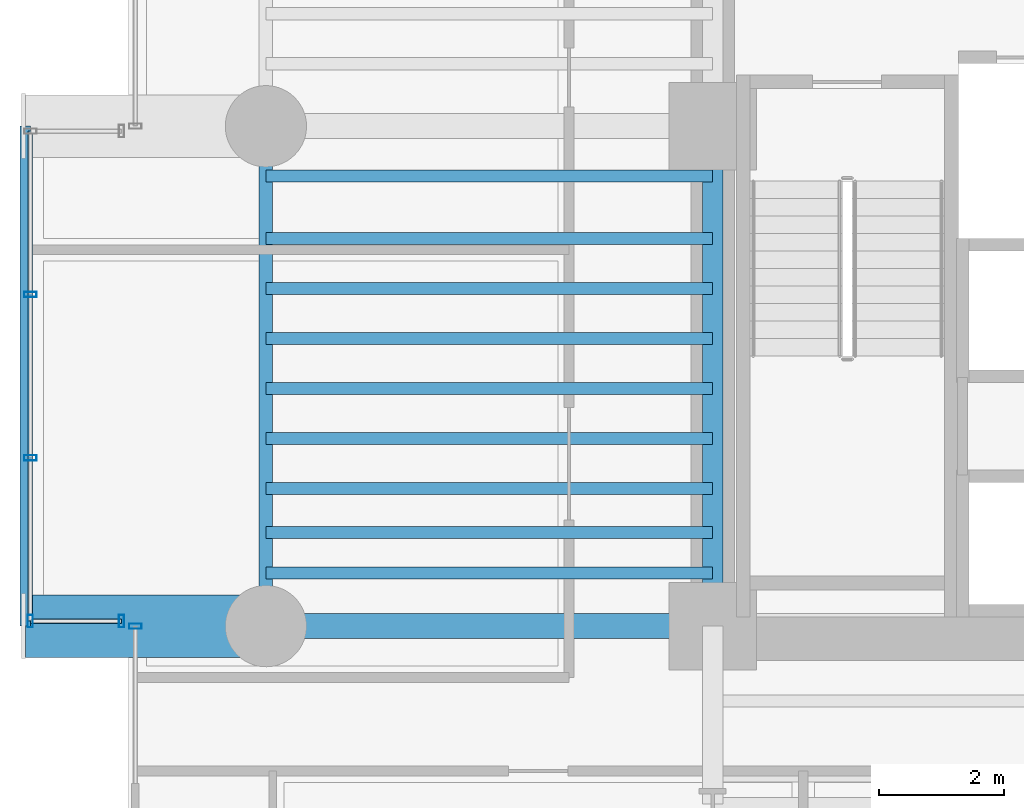
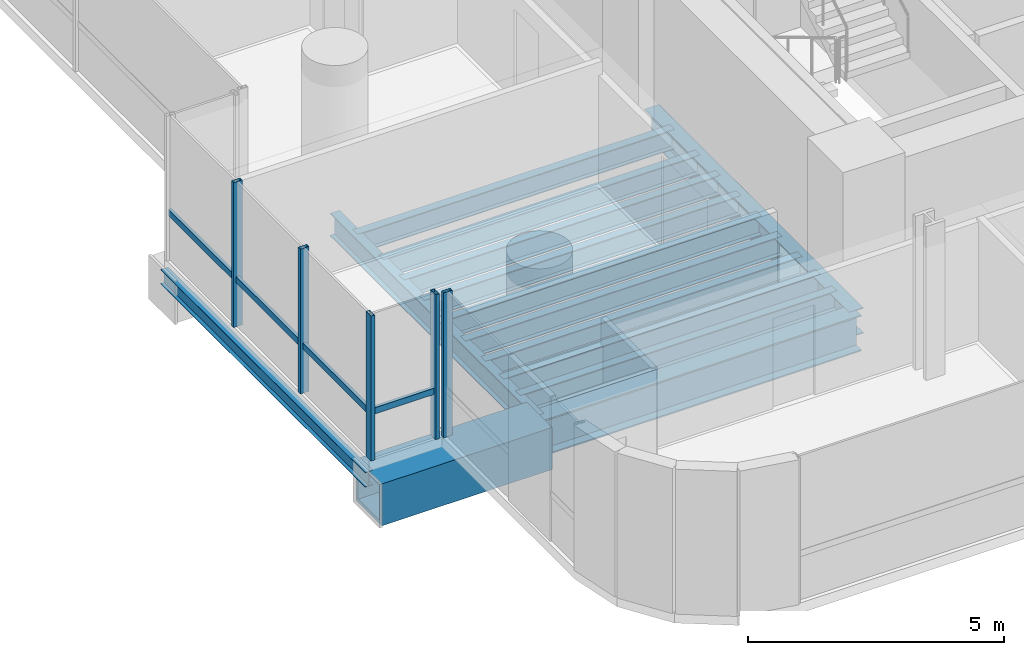
# One storey, part 4 of 40: 14 beams, 7 members, 3 elements without a shape of their own.
"""IFC4 building model written with IfcOpenShell, lengths in metres."""

from ifc_helpers import new_model, si_unit, direction, frame, origin, origin_2d, place, context, subcontext, project, spatial, hollow_rectangle, i_section, extrude, source, transform, mapped, material, material_profile, profile_set, type_object, element, aggregate, save


model = new_model("IFC4")

# Units and contexts
model_context = context("Model", 3, precision=1e-05, world=origin(), true_north=direction((0.0, 1.0)))
body_context = subcontext(model_context, "Body", "Model", "MODEL_VIEW")
ifc_project = project(units=[si_unit("LENGTHUNIT", "METRE"), si_unit("AREAUNIT", "SQUARE_METRE"), si_unit("VOLUMEUNIT", "CUBIC_METRE"), si_unit("PLANEANGLEUNIT", "RADIAN"), si_unit("MASSUNIT", "GRAM", prefix="KILO")], contexts=[model_context])

# Site, building, storey
site_placement = place(None, origin())
site = spatial("IfcSite", under=ifc_project, at=site_placement, CompositionType="ELEMENT")
building_placement = place(site_placement, origin())
building = spatial("IfcBuilding", under=site, at=building_placement, Name="Valdorenza Pilgrim Sanctuary Tower", CompositionType="ELEMENT")
storey_placement = place(building_placement, frame((0.0, 0.0, 92.60009765625)))
storey = spatial("IfcBuildingStorey", under=building, at=storey_placement, Name="L23", CompositionType="ELEMENT", Elevation=92.60009765625)

# Beams
ifc_material_1 = material(Name="Steel ASTM A992 Grade 50", Category="steel")
ifc_material_profile_1 = material_profile(ifc_material_1, i_section(OverallWidth=0.214111328125, OverallDepth=0.549072265625, WebThickness=0.0146484375, FlangeThickness=0.023681640625, at=origin_2d()), Name="W21X93")
ifc_profile_set_1 = profile_set([ifc_material_profile_1], Name="Steel ASTM A992 Grade 50")
beam_type_1 = type_object("IfcBeamType", Name="STR-BM-SPN-W21A", PredefinedType="SPANDREL", material=ifc_profile_set_1)
shared_shape_1 = source(origin(), body_context, "Body", "SweptSolid", [
    extrude(i_section(OverallWidth=0.214111328125, OverallDepth=0.549072265625, WebThickness=0.0146484375, FlangeThickness=0.023681640625, at=origin_2d()), origin(), (0.0, 0.0, 1.0), 8.0),
])
beam_1_placement = place(storey_placement, frame((-29.800048828125, -10.60009765625, -0.5146484375), z_axis=(0.0, 1.0, 0.0), x_axis=(-1.0, 0.0, 0.0)))
element("IfcBeam", 1, at=beam_1_placement, inside=storey, type_object=beam_type_1, Name="L23 Spandrel Beam WA-W-S1M0", PredefinedType="SPANDREL", context=body_context, shape_type="MappedRepresentation", body=[
    mapped(shared_shape_1, transform((0.0, 0.0, 0.0), x_axis=(1.0, 0.0, 0.0), y_axis=(0.0, 1.0, 0.0), z_axis=(0.0, 0.0, 1.0), scale=1.0)),
])
ifc_material_profile_2 = material_profile(ifc_material_1, i_section(OverallWidth=0.323974609375, OverallDepth=0.611083984375, WebThickness=0.0126953125, FlangeThickness=0.01904296875, at=origin_2d()), Name="W24X104")
ifc_profile_set_2 = profile_set([ifc_material_profile_2], Name="Steel ASTM A992 Grade 50")
beam_type_2 = type_object("IfcBeamType", Name="STR-BM-GRD-W24B", PredefinedType="BEAM", material=ifc_profile_set_2)
shared_shape_2 = source(origin(), body_context, "Body", "SweptSolid", [
    extrude(i_section(OverallWidth=0.323974609375, OverallDepth=0.611083984375, WebThickness=0.0126953125, FlangeThickness=0.01904296875, at=origin_2d()), origin(), (0.0, 0.0, 1.0), 8.0),
])
beam_2_placement = place(storey_placement, frame((-22.64990234375, -10.60009765625, -0.545654296875), z_axis=(0.0, 1.0, 0.0), x_axis=(-1.0, 0.0, 0.0)))
element("IfcBeam", 2, at=beam_2_placement, inside=storey, type_object=beam_type_2, Name="L23 Core Tie Girder CA-W-S1M0", PredefinedType="BEAM", context=body_context, shape_type="MappedRepresentation", body=[
    mapped(shared_shape_2, transform((0.0, 0.0, 0.0), x_axis=(1.0, 0.0, 0.0), y_axis=(0.0, 1.0, 0.0), z_axis=(0.0, 0.0, 1.0), scale=1.0)),
])
ifc_material_profile_3 = material_profile(ifc_material_1, i_section(OverallWidth=0.193115234375, OverallDepth=0.466064453125, WebThickness=0.011474609375, FlangeThickness=0.01904296875, at=origin_2d()), Name="W18X65")
ifc_profile_set_3 = profile_set([ifc_material_profile_3], Name="Steel ASTM A992 Grade 50")
beam_type_3 = type_object("IfcBeamType", Name="STR-BM-JST-W18A", PredefinedType="JOIST", material=ifc_profile_set_3)
shared_shape_3 = source(origin(), body_context, "Body", "SweptSolid", [
    extrude(i_section(OverallWidth=0.193115234375, OverallDepth=0.466064453125, WebThickness=0.011474609375, FlangeThickness=0.01904296875, at=origin_2d()), origin(), (0.0, 0.0, 1.0), 7.150146484375),
])
for number, where, z_axis, x_axis, name in (
    (3, (-29.800048828125, -9.75, -0.47314453125), (1.0, 0.0, 0.0), (0.0, 1.0, 0.0), "L23 Composite Floor Joist JST-WA-1"),
    (4, (-29.800048828125, -9.10009765625, -0.47314453125), (1.0, 0.0, 0.0), (0.0, 1.0, 0.0), "L23 Composite Floor Joist JST-WA-2"),
    (5, (-29.800048828125, -8.39990234375, -0.47314453125), (1.0, 0.0, 0.0), (0.0, 1.0, 0.0), "L23 Composite Floor Joist JST-WA-3"),
    (6, (-29.800048828125, -7.60009765625, -0.47314453125), (1.0, 0.0, 0.0), (0.0, 1.0, 0.0), "L23 Composite Floor Joist JST-WA-4"),
    (7, (-29.800048828125, -6.800048828125, -0.47314453125), (1.0, 0.0, 0.0), (0.0, 1.0, 0.0), "L23 Composite Floor Joist JST-WA-5"),
    (8, (-29.800048828125, -6.0, -0.47314453125), (1.0, 0.0, 0.0), (0.0, 1.0, 0.0), "L23 Composite Floor Joist JST-WA-6"),
    (9, (-29.800048828125, -5.199951171875, -0.47314453125), (1.0, 0.0, 0.0), (0.0, 1.0, 0.0), "L23 Composite Floor Joist JST-WA-7"),
    (10, (-29.800048828125, -4.39990234375, -0.47314453125), (1.0, 0.0, 0.0), (0.0, 1.0, 0.0), "L23 Composite Floor Joist JST-WA-8"),
    (11, (-29.800048828125, -3.39990234375, -0.47314453125), (1.0, 0.0, 0.0), (0.0, 1.0, 0.0), "L23 Composite Floor Joist JST-WA-9"),
):
    element("IfcBeam", number, at=place(storey_placement, frame(where, z_axis=z_axis, x_axis=x_axis)), inside=storey, type_object=beam_type_3, Name=name, PredefinedType="JOIST", context=body_context, shape_type="MappedRepresentation", body=[
        mapped(shared_shape_3, transform((0.0, 0.0, 0.0), x_axis=(1.0, 0.0, 0.0), y_axis=(0.0, 1.0, 0.0), z_axis=(0.0, 0.0, 1.0), scale=1.0)),
    ])
ifc_material_2 = material(Name="Steel ASTM A572 Grade 42", Category="steel")
ifc_material_profile_4 = material_profile(ifc_material_2, hollow_rectangle(XDim=1.0, YDim=1.0, WallThickness=0.080078125, at=origin_2d()), Name="BOX 1000x1000x80")
ifc_profile_set_4 = profile_set([ifc_material_profile_4], Name="Steel ASTM A572 Grade 42")
beam_type_4 = type_object("IfcBeamType", Name="STR-BM-PROW-CANT", PredefinedType="BEAM", material=ifc_profile_set_4)
shared_shape_4 = source(origin(), body_context, "Body", "SweptSolid", [
    extrude(hollow_rectangle(XDim=1.0, YDim=1.0, WallThickness=0.080078125, at=origin_2d()), origin(), (0.0, 0.0, 1.0), 3.849853515625),
])
beam_3_placement = place(storey_placement, frame((-29.800048828125, -10.60009765625, -0.739990234375), z_axis=(-1.0, 0.0, 0.0), x_axis=(0.0, -1.0, 0.0)))
element("IfcBeam", 12, at=beam_3_placement, inside=storey, type_object=beam_type_4, Name="L23 Glass Box Cantilever Beam BOX-WA-L23-CT-S", PredefinedType="BEAM", context=body_context, shape_type="MappedRepresentation", body=[
    mapped(shared_shape_4, transform((0.0, 0.0, 0.0), x_axis=(1.0, 0.0, 0.0), y_axis=(0.0, 1.0, 0.0), z_axis=(0.0, 0.0, 1.0), scale=1.0)),
])
ifc_material_profile_5 = material_profile(ifc_material_1, i_section(OverallWidth=0.1708984375, OverallDepth=0.35107421875, WebThickness=0.0068359375, FlangeThickness=0.009765625, at=origin_2d()), Name="W14X30")
ifc_profile_set_5 = profile_set([ifc_material_profile_5], Name="Steel ASTM A992 Grade 50")
beam_type_5 = type_object("IfcBeamType", Name="STR-BM-BOX-W14", PredefinedType="BEAM", material=ifc_profile_set_5)
shared_shape_5 = source(origin(), body_context, "Body", "SweptSolid", [
    extrude(i_section(OverallWidth=0.1708984375, OverallDepth=0.35107421875, WebThickness=0.0068359375, FlangeThickness=0.009765625, at=origin_2d()), origin(), (0.0, 0.0, 1.0), 8.0),
])
beam_4_placement = place(storey_placement, frame((-33.64990234375, -10.60009765625, -0.41552734375), z_axis=(0.0, 1.0, 0.0), x_axis=(-1.0, 0.0, 0.0)))
element("IfcBeam", 13, at=beam_4_placement, inside=storey, type_object=beam_type_5, Name="L23 Glass Box Edge Beam BOX-WA-L23-F", PredefinedType="BEAM", context=body_context, shape_type="MappedRepresentation", body=[
    mapped(shared_shape_5, transform((0.0, 0.0, 0.0), x_axis=(1.0, 0.0, 0.0), y_axis=(0.0, 1.0, 0.0), z_axis=(0.0, 0.0, 1.0), scale=1.0)),
])
ifc_material_profile_6 = material_profile(ifc_material_1, i_section(OverallWidth=0.39990234375, OverallDepth=0.862060546875, WebThickness=0.019775390625, FlangeThickness=0.032470703125, at=origin_2d()), Name="W33X221")
ifc_profile_set_6 = profile_set([ifc_material_profile_6], Name="Steel ASTM A992 Grade 50")
beam_type_6 = type_object("IfcBeamType", Name="STR-BM-GRD-W33", PredefinedType="BEAM", material=ifc_profile_set_6)
shared_shape_6 = source(origin(), body_context, "Body", "SweptSolid", [
    extrude(i_section(OverallWidth=0.39990234375, OverallDepth=0.862060546875, WebThickness=0.019775390625, FlangeThickness=0.032470703125, at=origin_2d()), origin(), (0.0, 0.0, 1.0), 7.150146484375),
])
beam_5_placement = place(storey_placement, frame((-29.800048828125, -10.60009765625, -0.671142578125), z_axis=(1.0, 0.0, 0.0), x_axis=(0.0, 1.0, 0.0)))
element("IfcBeam", 14, at=beam_5_placement, inside=storey, type_object=beam_type_6, Name="L23 Floor Girder WA-XW-S1", PredefinedType="BEAM", context=body_context, shape_type="MappedRepresentation", body=[
    mapped(shared_shape_6, transform((0.0, 0.0, 0.0), x_axis=(1.0, 0.0, 0.0), y_axis=(0.0, 1.0, 0.0), z_axis=(0.0, 0.0, 1.0), scale=1.0)),
])

# Curtain wall, member
ifc_material_3 = material(Name="Curtain-wall IGU glazing", Category="glass")
curtain_wall_type = type_object("IfcCurtainWallType", Name="CW-SYS-02", PredefinedType="NOTDEFINED", material=ifc_material_3)
curtain_wall_1_placement = place(storey_placement, origin())
curtain_wall_1 = element("IfcCurtainWall", 15, at=curtain_wall_1_placement, inside=storey, type_object=curtain_wall_type, Name="L23 Curtain Wall CW-L23-1-1S1", PredefinedType="NOTDEFINED")
ifc_material_4 = material(Name="Anodised aluminium AW-6060", Category="aluminium")
ifc_material_profile_7 = material_profile(ifc_material_4, hollow_rectangle(XDim=0.0849609375, YDim=0.199951171875, WallThickness=0.0048828125, at=origin_2d()), Name="ALU-M 200x85x5")
ifc_profile_set_7 = profile_set([ifc_material_profile_7], Name="Anodised aluminium AW-6060")
member_type_1 = type_object("IfcMemberType", Name="CW-MUL-02", PredefinedType="MULLION", material=ifc_profile_set_7)
shared_shape_7 = source(origin(), body_context, "Body", "SweptSolid", [
    extrude(hollow_rectangle(XDim=0.0849609375, YDim=0.199951171875, WallThickness=0.0048828125, at=origin_2d()), origin(), (0.0, 0.0, 1.0), 3.4599609375),
])
member_1_placement = place(storey_placement, frame((-31.889892578125, -10.60009765625, 0.0), z_axis=(0.0, 0.0, 1.0), x_axis=(0.0, 1.0, 0.0)))
member_1 = element("IfcMember", 16, at=member_1_placement, type_object=member_type_1, Name="CW-L23-1-1S1 Mullion 2", PredefinedType="MULLION", context=body_context, shape_type="MappedRepresentation", body=[
    mapped(shared_shape_7, transform((0.0, 0.0, 0.0), x_axis=(1.0, 0.0, 0.0), y_axis=(0.0, 1.0, 0.0), z_axis=(0.0, 0.0, 1.0), scale=1.0)),
])
aggregate(curtain_wall_1, [member_1])

# Curtain wall, members
curtain_wall_2_placement = place(storey_placement, origin())
curtain_wall_2 = element("IfcCurtainWall", 17, at=curtain_wall_2_placement, inside=storey, type_object=curtain_wall_type, Name="L23 Curtain Wall CW-L23-BOX-WA-L23-S", PredefinedType="NOTDEFINED")
member_2_placement = place(storey_placement, frame((-32.110107421875, -10.52001953125, 0.0), z_axis=(0.0, 0.0, 1.0), x_axis=(-1.0, 0.0, 0.0)))
member_2 = element("IfcMember", 18, at=member_2_placement, type_object=member_type_1, Name="CW-L23-BOX-WA-L23-S Mullion 1", PredefinedType="MULLION", context=body_context, shape_type="MappedRepresentation", body=[
    mapped(shared_shape_7, transform((0.0, 0.0, 0.0), x_axis=(1.0, 0.0, 0.0), y_axis=(0.0, 1.0, 0.0), z_axis=(0.0, 0.0, 1.0), scale=1.0)),
])
member_3_placement = place(storey_placement, frame((-33.570068359375, -10.52001953125, 0.0), z_axis=(0.0, 0.0, 1.0), x_axis=(-1.0, 0.0, 0.0)))
member_3 = element("IfcMember", 19, at=member_3_placement, type_object=member_type_1, Name="CW-L23-BOX-WA-L23-S Mullion 2", PredefinedType="MULLION", context=body_context, shape_type="MappedRepresentation", body=[
    mapped(shared_shape_7, transform((0.0, 0.0, 0.0), x_axis=(1.0, 0.0, 0.0), y_axis=(0.0, 1.0, 0.0), z_axis=(0.0, 0.0, 1.0), scale=1.0)),
])

curtain_wall_3_placement = place(storey_placement, origin())
curtain_wall_3 = element("IfcCurtainWall", 20, at=curtain_wall_3_placement, inside=storey, type_object=curtain_wall_type, Name="L23 Curtain Wall CW-L23-BOX-WA-L23-F", PredefinedType="NOTDEFINED")
member_4_placement = place(storey_placement, frame((-33.570068359375, -7.90673828125, 0.0), z_axis=(0.0, 0.0, 1.0), x_axis=(0.0, 1.0, 0.0)))
member_4 = element("IfcMember", 21, at=member_4_placement, type_object=member_type_1, Name="CW-L23-BOX-WA-L23-F Mullion 2", PredefinedType="MULLION", context=body_context, shape_type="MappedRepresentation", body=[
    mapped(shared_shape_7, transform((0.0, 0.0, 0.0), x_axis=(1.0, 0.0, 0.0), y_axis=(0.0, 1.0, 0.0), z_axis=(0.0, 0.0, 1.0), scale=1.0)),
])
member_5_placement = place(storey_placement, frame((-33.570068359375, -5.293212890625, 0.0), z_axis=(0.0, 0.0, 1.0), x_axis=(0.0, 1.0, 0.0)))
member_5 = element("IfcMember", 22, at=member_5_placement, type_object=member_type_1, Name="CW-L23-BOX-WA-L23-F Mullion 3", PredefinedType="MULLION", context=body_context, shape_type="MappedRepresentation", body=[
    mapped(shared_shape_7, transform((0.0, 0.0, 0.0), x_axis=(1.0, 0.0, 0.0), y_axis=(0.0, 1.0, 0.0), z_axis=(0.0, 0.0, 1.0), scale=1.0)),
])

# Member
ifc_material_profile_8 = material_profile(ifc_material_4, hollow_rectangle(XDim=0.074951171875, YDim=0.14990234375, WallThickness=0.00390625, at=origin_2d()), Name="ALU-T 150x75x4")
ifc_profile_set_8 = profile_set([ifc_material_profile_8], Name="Anodised aluminium AW-6060")
member_type_2 = type_object("IfcMemberType", Name="CW-TRN-02", PredefinedType="USERDEFINED", material=ifc_profile_set_8)
shared_shape_8 = source(origin(), body_context, "Body", "SweptSolid", [
    extrude(hollow_rectangle(XDim=0.074951171875, YDim=0.14990234375, WallThickness=0.00390625, at=origin_2d()), origin(), (0.0, 0.0, 1.0), 1.4599609375),
])
member_6_placement = place(storey_placement, frame((-32.110107421875, -10.52001953125, 1.119873046875), z_axis=(-1.0, 0.0, 0.0), x_axis=(0.0, -1.0, 0.0)))
member_6 = element("IfcMember", 23, at=member_6_placement, type_object=member_type_2, Name="CW-L23-BOX-WA-L23-S Transom 1", ObjectType="TRANSOM", PredefinedType="USERDEFINED", context=body_context, shape_type="MappedRepresentation", body=[
    mapped(shared_shape_8, transform((0.0, 0.0, 0.0), x_axis=(1.0, 0.0, 0.0), y_axis=(0.0, 1.0, 0.0), z_axis=(0.0, 0.0, 1.0), scale=1.0)),
])

aggregate(curtain_wall_2, [member_2, member_3, member_6])

shared_shape_9 = source(origin(), body_context, "Body", "SweptSolid", [
    extrude(hollow_rectangle(XDim=0.074951171875, YDim=0.14990234375, WallThickness=0.00390625, at=origin_2d()), origin(), (0.0, 0.0, 1.0), 7.840087890625),
])
member_7_placement = place(storey_placement, frame((-33.570068359375, -10.52001953125, 1.119873046875), z_axis=(0.0, 1.0, 0.0), x_axis=(-1.0, 0.0, 0.0)))
member_7 = element("IfcMember", 24, at=member_7_placement, type_object=member_type_2, Name="CW-L23-BOX-WA-L23-F Transom 1", ObjectType="TRANSOM", PredefinedType="USERDEFINED", context=body_context, shape_type="MappedRepresentation", body=[
    mapped(shared_shape_9, transform((0.0, 0.0, 0.0), x_axis=(1.0, 0.0, 0.0), y_axis=(0.0, 1.0, 0.0), z_axis=(0.0, 0.0, 1.0), scale=1.0)),
])

aggregate(curtain_wall_3, [member_4, member_5, member_7])

save(model, "model.ifc")
